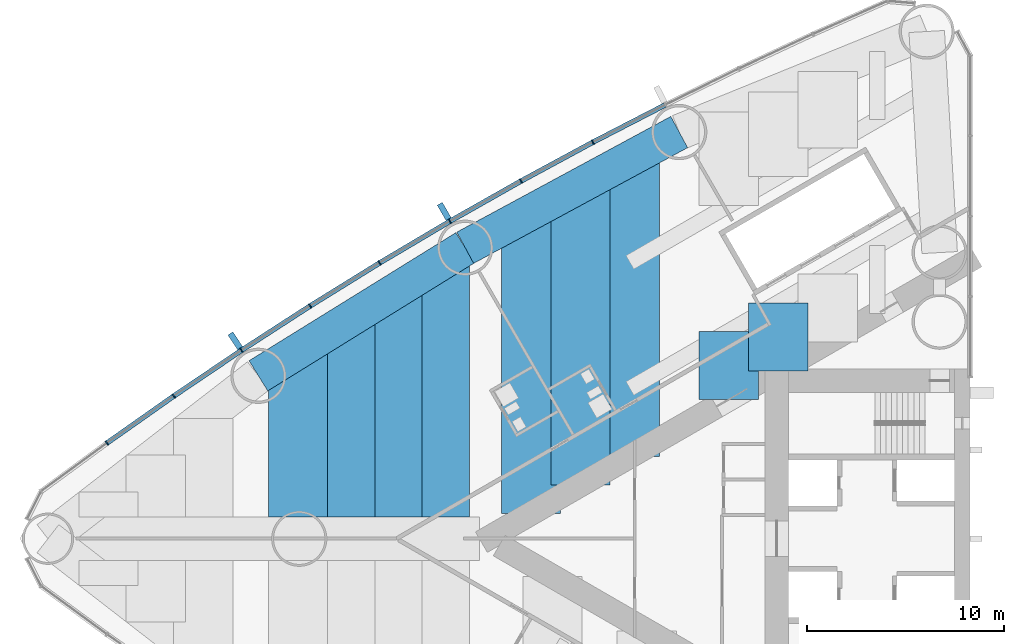
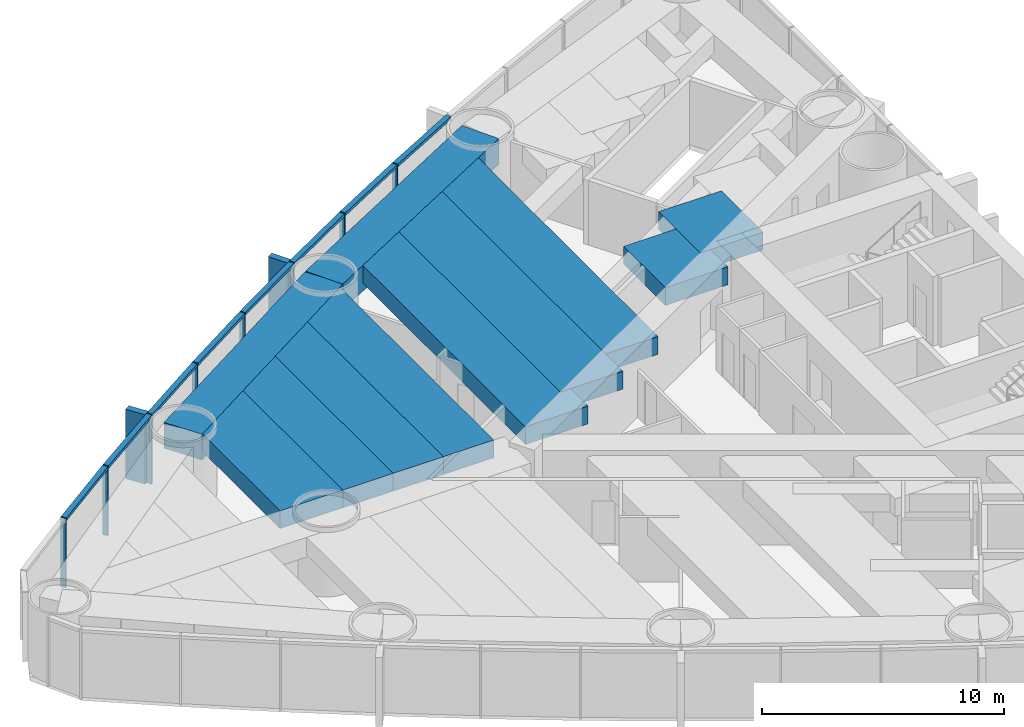
# One storey, part 4 of 19: 18 members, 11 beams, 1 element without a shape of its own.
"""IFC4 building model written with IfcOpenShell, lengths in metres."""

import ifcopenshell
import ifcopenshell.guid

model = None  # the IFC model being written
_history = None  # IfcOwnerHistory: only IFC2X3 demands one
_inside = {}  # id of a spatial element -> (the spatial element, [elements in it])
_under = {}  # id of a project, library or spatial element -> (it, [spatial elements below it])
_declared = {}  # id of a project -> (the project, [libraries it declares])
_typed = {}  # id of a type object -> (the type object, [elements of that type])
_made_of = {}  # id of a material, layer set ... -> (it, [elements and type objects made of it])


def new_model(schema):
    """Start an empty IFC model of exactly this schema.

    Asked for "IFC4X3", IfcOpenShell would pick the latest addendum, in which some entities
    have other attributes; the version numbers below select the first issue.
    IFC2X3 requires an IfcOwnerHistory on every rooted entity: one is made here for all.
    """
    global model, _history
    if schema == "IFC4X3":
        model = ifcopenshell.file(schema_version=(4, 3, 0, 0))
    else:
        model = ifcopenshell.file(schema=schema)
    _inside.clear()
    _under.clear()
    _declared.clear()
    _typed.clear()
    _made_of.clear()
    _history = None
    if model.schema == "IFC2X3":
        org = make("IfcOrganization", Name="unknown")
        user = make(
            "IfcPersonAndOrganization",
            ThePerson=make("IfcPerson", FamilyName="unknown"),
            TheOrganization=org,
        )
        app = make(
            "IfcApplication",
            ApplicationDeveloper=org,
            Version="unknown",
            ApplicationFullName="unknown",
            ApplicationIdentifier="unknown",
        )
        _history = make(
            "IfcOwnerHistory",
            OwningUser=user,
            OwningApplication=app,
            ChangeAction="ADDED",
            CreationDate=0,
        )
    return model


def make(cls, **values):
    """One entity of the class cls with the attributes given. An attribute that is None is left unset."""
    return model.create_entity(
        cls, **{name: value for name, value in values.items() if value is not None}
    )


def rooted(cls, **values):
    """An entity with a GlobalId (a new one), such as an element, a storey or a relation."""
    return make(cls, GlobalId=ifcopenshell.guid.new(), OwnerHistory=_history, **values)


def si_unit(unit_type, name, prefix=None):
    """IfcSIUnit, for example si_unit("LENGTHUNIT", "METRE", prefix="MILLI")."""
    return make("IfcSIUnit", UnitType=unit_type, Prefix=prefix, Name=name)


def assignment(units):
    """IfcUnitAssignment: the units of a project."""
    return None if units is None else make("IfcUnitAssignment", Units=units)


def point(xyz):
    """IfcCartesianPoint."""
    return None if xyz is None else make("IfcCartesianPoint", Coordinates=xyz)


def direction(xyz):
    """IfcDirection."""
    return None if xyz is None else make("IfcDirection", DirectionRatios=xyz)


def frame(location, z_axis=None, x_axis=None):
    """IfcAxis2Placement3D, a coordinate frame: its origin and axes. An axis left out is left unset."""
    return make(
        "IfcAxis2Placement3D",
        Location=point(location),
        Axis=direction(z_axis),
        RefDirection=direction(x_axis),
    )


def frame_2d(location, x_axis=None):
    """IfcAxis2Placement2D, a coordinate frame in the plane: its origin and x axis."""
    return make(
        "IfcAxis2Placement2D", Location=point(location), RefDirection=direction(x_axis)
    )


def origin():
    """The frame at (0, 0, 0) with its axes left unset."""
    return frame((0.0, 0.0, 0.0))


def origin_2d():
    """The frame at (0, 0) in the plane with its x axis left unset."""
    return frame_2d((0.0, 0.0))


def place(relative_to, where):
    """IfcLocalPlacement: puts the frame where relative to a parent placement (None: the world)."""
    return make(
        "IfcLocalPlacement", PlacementRelTo=relative_to, RelativePlacement=where
    )


def context(
    kind, dimensions, precision=None, world=None, true_north=None, identifier=None
):
    """IfcGeometricRepresentationContext, for example the 3D "Model" context."""
    return make(
        "IfcGeometricRepresentationContext",
        ContextIdentifier=identifier,
        ContextType=kind,
        CoordinateSpaceDimension=dimensions,
        Precision=precision,
        WorldCoordinateSystem=world,
        TrueNorth=true_north,
    )


def subcontext(parent, identifier, kind, view, scale=None):
    """IfcGeometricRepresentationSubContext, for example "Body" below "Model"."""
    return make(
        "IfcGeometricRepresentationSubContext",
        ContextIdentifier=identifier,
        ContextType=kind,
        ParentContext=parent,
        TargetScale=scale,
        TargetView=view,
    )


def project(units=None, contexts=None):
    """IfcProject with its units and contexts."""
    return rooted(
        "IfcProject",
        Name="project",
        RepresentationContexts=contexts,
        UnitsInContext=assignment(units),
    )


def spatial(cls, under=None, at=None, **own):
    """A site, building, storey or space (cls), placed at a placement, below another one or the project."""
    s = rooted(cls, ObjectPlacement=at, **own)
    if under is not None:
        _under.setdefault(under.id(), (under, []))[1].append(s)
    return s


def profile(cls, at=None, kind="AREA", **sizes):
    """A parametric profile (cls). Its sizes go by their IFC names, for example OverallWidth=200.0."""
    return make(cls, ProfileType=kind, Position=at, **sizes)


def rectangle(**sizes):
    """IfcRectangleProfileDef."""
    return profile("IfcRectangleProfileDef", **sizes)


def extrude(swept, where, along, depth):
    """IfcExtrudedAreaSolid: the profile swept, set in the frame where, extruded along a direction by depth."""
    return make(
        "IfcExtrudedAreaSolid",
        SweptArea=swept,
        Position=where,
        ExtrudedDirection=direction(along),
        Depth=depth,
    )


def shape(context_of_items, identifier, shape_type, items):
    """IfcShapeRepresentation: the items that make up one representation, for example the "Body"."""
    return make(
        "IfcShapeRepresentation",
        ContextOfItems=context_of_items,
        RepresentationIdentifier=identifier,
        RepresentationType=shape_type,
        Items=items,
    )


def material(Name=None, Category=None):
    """IfcMaterial."""
    return make("IfcMaterial", Name=Name, Category=Category)


def material_profile(
    of_material, cross_section, Name=None, Category=None, Priority=None
):
    """IfcMaterialProfile: a cross section and its material."""
    return make(
        "IfcMaterialProfile",
        Name=Name,
        Material=of_material,
        Profile=cross_section,
        Priority=Priority,
        Category=Category,
    )


def profile_set(profiles, Name=None, composite=None):
    """IfcMaterialProfileSet."""
    return make(
        "IfcMaterialProfileSet",
        Name=Name,
        MaterialProfiles=profiles,
        CompositeProfile=composite,
    )


def made_of(thing, what):
    """Note that an element or type object is made of a material, layer set ...; save() writes the relation."""
    if what is not None:
        _made_of.setdefault(what.id(), (what, []))[1].append(thing)
    return thing


def type_object(cls, material=None, **own):
    """A type object (cls), such as IfcWallType, which elements share."""
    return made_of(rooted(cls, **own), material)


def element(
    cls,
    number,
    at=None,
    inside=None,
    cuts=None,
    type_object=None,
    material=None,
    context=None,
    identifier="Body",
    shape_type=None,
    held_by="IfcProductDefinitionShape",
    body=None,
    shapes=None,
    **own,
):
    """One element of the class cls, such as IfcWall. Its Tag is "e" and its number.

    at: its placement. inside: the storey or other place that contains it. cuts: it is an
    opening in that element (IfcRelVoidsElement). A single representation is given by context,
    identifier, shape_type and body (its items); several are given by shapes. held_by: the class
    of the entity that holds the representations. save() writes the other relations.
    """
    e = rooted(cls, Tag="e%d" % number, ObjectPlacement=at, **own)
    if body is not None:
        shapes = [shape(context, identifier, shape_type, body)]
    if shapes is not None:
        e.Representation = make(held_by, Representations=shapes)
    if inside is not None:
        _inside.setdefault(inside.id(), (inside, []))[1].append(e)
    if cuts is not None:
        rooted(
            "IfcRelVoidsElement", RelatingBuildingElement=cuts, RelatedOpeningElement=e
        )
    if type_object is not None:
        _typed.setdefault(type_object.id(), (type_object, []))[1].append(e)
    return made_of(e, material)


def aggregate(whole, parts):
    """IfcRelAggregates: a whole, such as a stair, and the parts it consists of."""
    return rooted("IfcRelAggregates", RelatingObject=whole, RelatedObjects=parts)


def save(model, path):
    """Write the relations noted so far, then the file.

    IfcRelAggregates (storeys below a building ...), IfcRelContainedInSpatialStructure (elements
    in a storey), IfcRelDefinesByType, IfcRelAssociatesMaterial and IfcRelDeclares: one each for
    every whole, place, type object, material and project.
    """
    for whole, parts in _under.values():
        aggregate(whole, parts)
    for where, things in _inside.values():
        rooted(
            "IfcRelContainedInSpatialStructure",
            RelatedElements=things,
            RelatingStructure=where,
        )
    for kind, things in _typed.values():
        rooted("IfcRelDefinesByType", RelatedObjects=things, RelatingType=kind)
    for what, things in _made_of.values():
        rooted("IfcRelAssociatesMaterial", RelatedObjects=things, RelatingMaterial=what)
    for by, libraries in _declared.values():
        rooted("IfcRelDeclares", RelatingContext=by, RelatedDefinitions=libraries)
    model.write(path)


model = new_model("IFC4")

# Units and contexts
model_context = context("Model", 3, precision=1e-05, world=origin(), true_north=direction((0.0, 1.0)))
body_context = subcontext(model_context, "Body", "Model", "MODEL_VIEW")
ifc_project = project(units=[si_unit("LENGTHUNIT", "METRE"), si_unit("AREAUNIT", "SQUARE_METRE"), si_unit("VOLUMEUNIT", "CUBIC_METRE"), si_unit("PLANEANGLEUNIT", "RADIAN"), si_unit("MASSUNIT", "GRAM", prefix="KILO")], contexts=[model_context])

# Site, building, storey
site_placement = place(None, origin())
site = spatial("IfcSite", under=ifc_project, at=site_placement, CompositionType="ELEMENT")
building_placement = place(site_placement, origin())
building = spatial("IfcBuilding", under=site, at=building_placement, Name="Lancet Gate Hotel", CompositionType="ELEMENT")
storey_placement = place(building_placement, frame((0.0, 0.0, 18.0)))
storey = spatial("IfcBuildingStorey", under=building, at=storey_placement, Name="L03", CompositionType="ELEMENT", Elevation=18.0)

# Curtain wall, members
ifc_material_1 = material(Name="Aluminium curtain wall", Category="aluminium")
curtain_wall_type = type_object("IfcCurtainWallType", Name="Tower unitised curtain wall", PredefinedType="USERDEFINED", material=ifc_material_1)
curtain_wall_placement = place(storey_placement, origin())
curtain_wall = element("IfcCurtainWall", 1, at=curtain_wall_placement, inside=storey, type_object=curtain_wall_type, Name="T1 L03 curtain wall 2", ObjectType="UNITISED CURTAIN WALL", PredefinedType="USERDEFINED")
ifc_material_2 = material(Name="Aluminium mullion", Category="aluminium")
ifc_material_profile_1 = material_profile(ifc_material_2, rectangle(XDim=0.06494140625, YDim=0.25, at=origin_2d()), Name="MULLION 65x250")
ifc_profile_set_1 = profile_set([ifc_material_profile_1], Name="Aluminium mullion")
member_type_1 = type_object("IfcMemberType", Name="Aluminium mullion 65x250", PredefinedType="MULLION", material=ifc_profile_set_1)
member_1_placement = place(storey_placement, frame((-46.6220703125, 20.094970703125, 0.0), z_axis=(0.0, 0.0, 1.0), x_axis=(-0.884311132302, -0.466898084475, 0.0)))
member_1 = element("IfcMember", 2, at=member_1_placement, type_object=member_type_1, Name="T1 L03 curtain wall 2 mullion 6", PredefinedType="MULLION", context=body_context, shape_type="SweptSolid", body=[
    extrude(rectangle(XDim=0.06494140625, YDim=0.25, at=origin_2d()), origin(), (0.0, 0.0, 1.0), 3.5),
])
member_2_placement = place(storey_placement, frame((-50.26416015625, 18.1259765625, 0.0), z_axis=(0.0, 0.0, 1.0), x_axis=(-0.874991035403, -0.484139120464, 0.0)))
member_2 = element("IfcMember", 3, at=member_2_placement, type_object=member_type_1, Name="T1 L03 curtain wall 2 mullion 7", PredefinedType="MULLION", context=body_context, shape_type="SweptSolid", body=[
    extrude(rectangle(XDim=0.06494140625, YDim=0.25, at=origin_2d()), origin(), (0.0, 0.0, 1.0), 3.5),
])
member_3_placement = place(storey_placement, frame((-53.866943359375, 16.086181640625, 0.0), z_axis=(0.0, 0.0, 1.0), x_axis=(-0.86533483912, -0.501194190115, 0.0)))
member_3 = element("IfcMember", 4, at=member_3_placement, type_object=member_type_1, Name="T1 L03 curtain wall 2 mullion 8", PredefinedType="MULLION", context=body_context, shape_type="SweptSolid", body=[
    extrude(rectangle(XDim=0.06494140625, YDim=0.25, at=origin_2d()), origin(), (0.0, 0.0, 1.0), 3.5),
])
member_4_placement = place(storey_placement, frame((-57.42919921875, 13.97607421875, 0.0), z_axis=(0.0, 0.0, 1.0), x_axis=(-0.855346252548, -0.518056742309, 0.0)))
member_4 = element("IfcMember", 5, at=member_4_placement, type_object=member_type_1, Name="T1 L03 curtain wall 2 mullion 9", PredefinedType="MULLION", context=body_context, shape_type="SweptSolid", body=[
    extrude(rectangle(XDim=0.06494140625, YDim=0.25, at=origin_2d()), origin(), (0.0, 0.0, 1.0), 3.5),
])
member_5_placement = place(storey_placement, frame((-60.949462890625, 11.796630859375, 0.0), z_axis=(0.0, 0.0, 1.0), x_axis=(-0.845029112489, -0.534720299827, 0.0)))
member_5 = element("IfcMember", 6, at=member_5_placement, type_object=member_type_1, Name="T1 L03 curtain wall 2 mullion 10", PredefinedType="MULLION", context=body_context, shape_type="SweptSolid", body=[
    extrude(rectangle(XDim=0.06494140625, YDim=0.25, at=origin_2d()), origin(), (0.0, 0.0, 1.0), 3.5),
])
member_6_placement = place(storey_placement, frame((-64.42626953125, 9.548583984375, 0.0), z_axis=(0.0, 0.0, 1.0), x_axis=(-0.834387381945, -0.55117846189, 0.0)))
member_6 = element("IfcMember", 7, at=member_6_placement, type_object=member_type_1, Name="T1 L03 curtain wall 2 mullion 11", PredefinedType="MULLION", context=body_context, shape_type="SweptSolid", body=[
    extrude(rectangle(XDim=0.06494140625, YDim=0.25, at=origin_2d()), origin(), (0.0, 0.0, 1.0), 3.5),
])
member_7_placement = place(storey_placement, frame((-67.858154296875, 7.232666015625, 0.0), z_axis=(0.0, 0.0, 1.0), x_axis=(-0.823425148573, -0.56742490666, 0.0)))
member_7 = element("IfcMember", 8, at=member_7_placement, type_object=member_type_1, Name="T1 L03 curtain wall 2 mullion 12", PredefinedType="MULLION", context=body_context, shape_type="SweptSolid", body=[
    extrude(rectangle(XDim=0.06494140625, YDim=0.25, at=origin_2d()), origin(), (0.0, 0.0, 1.0), 3.5),
])
member_8_placement = place(storey_placement, frame((-71.244384765625, 4.85009765625, 0.0), z_axis=(0.0, 0.0, 1.0), x_axis=(-0.812146623168, -0.583453393578, 0.0)))
member_8 = element("IfcMember", 9, at=member_8_placement, type_object=member_type_1, Name="T1 L03 curtain wall 2 mullion 13", PredefinedType="MULLION", context=body_context, shape_type="SweptSolid", body=[
    extrude(rectangle(XDim=0.06494140625, YDim=0.25, at=origin_2d()), origin(), (0.0, 0.0, 1.0), 3.5),
])
ifc_material_3 = material(Name="Aluminium transom", Category="aluminium")
ifc_material_profile_2 = material_profile(ifc_material_3, rectangle(XDim=0.25, YDim=0.14990234375, at=origin_2d()), Name="TRANSOM 250x150")
ifc_profile_set_2 = profile_set([ifc_material_profile_2], Name="Aluminium transom")
member_type_2 = type_object("IfcMemberType", Name="Aluminium transom 250x150", PredefinedType="USERDEFINED", material=ifc_profile_set_2)
member_9_placement = place(storey_placement, frame((-42.970703125, 21.97705078125, 3.425048828125), z_axis=(-0.888859972399, -0.458178949175, 0.0), x_axis=(0.458178949175, -0.888859972399, 0.0)))
member_9 = element("IfcMember", 10, at=member_9_placement, type_object=member_type_2, Name="T1 L03 curtain wall 2 transom 5", ObjectType="TRANSOM", PredefinedType="USERDEFINED", context=body_context, shape_type="SweptSolid", body=[
    extrude(rectangle(XDim=0.25, YDim=0.14990234375, at=origin_2d()), origin(), (0.0, 0.0, 1.0), 4.0751953125),
])
member_10_placement = place(storey_placement, frame((-46.650634765625, 20.079345703125, 3.425048828125), z_axis=(-0.87971396408, -0.475503250675, 0.0), x_axis=(0.475503250675, -0.87971396408, 0.0)))
member_10 = element("IfcMember", 11, at=member_10_placement, type_object=member_type_2, Name="T1 L03 curtain wall 2 transom 6", ObjectType="TRANSOM", PredefinedType="USERDEFINED", context=body_context, shape_type="SweptSolid", body=[
    extrude(rectangle(XDim=0.25, YDim=0.14990234375, at=origin_2d()), origin(), (0.0, 0.0, 1.0), 4.0751953125),
])
member_11_placement = place(storey_placement, frame((-50.29248046875, 18.110107421875, 3.425048828125), z_axis=(-0.870197729943, -0.492702659625, 0.0), x_axis=(0.492702659625, -0.870197729943, 0.0)))
member_11 = element("IfcMember", 12, at=member_11_placement, type_object=member_type_2, Name="T1 L03 curtain wall 2 transom 7", ObjectType="TRANSOM", PredefinedType="USERDEFINED", context=body_context, shape_type="SweptSolid", body=[
    extrude(rectangle(XDim=0.25, YDim=0.14990234375, at=origin_2d()), origin(), (0.0, 0.0, 1.0), 4.0751953125),
])
member_12_placement = place(storey_placement, frame((-53.89501953125, 16.069580078125, 3.425048828125), z_axis=(-0.86039174806, -0.509633240547, 0.0), x_axis=(0.509633240547, -0.86039174806, 0.0)))
member_12 = element("IfcMember", 13, at=member_12_placement, type_object=member_type_2, Name="T1 L03 curtain wall 2 transom 8", ObjectType="TRANSOM", PredefinedType="USERDEFINED", context=body_context, shape_type="SweptSolid", body=[
    extrude(rectangle(XDim=0.25, YDim=0.14990234375, at=origin_2d()), origin(), (0.0, 0.0, 1.0), 4.0751953125),
])
member_13_placement = place(storey_placement, frame((-57.456787109375, 13.958984375, 3.425048828125), z_axis=(-0.850242165643, -0.526391736032, 0.0), x_axis=(0.526391736032, -0.850242165643, 0.0)))
member_13 = element("IfcMember", 14, at=member_13_placement, type_object=member_type_2, Name="T1 L03 curtain wall 2 transom 9", ObjectType="TRANSOM", PredefinedType="USERDEFINED", context=body_context, shape_type="SweptSolid", body=[
    extrude(rectangle(XDim=0.25, YDim=0.14990234375, at=origin_2d()), origin(), (0.0, 0.0, 1.0), 4.075439453125),
])
member_14_placement = place(storey_placement, frame((-60.976806640625, 11.779052734375, 3.425048828125), z_axis=(-0.839729242404, -0.543005340169, 0.0), x_axis=(0.543005340169, -0.839729242404, 0.0)))
member_14 = element("IfcMember", 15, at=member_14_placement, type_object=member_type_2, Name="T1 L03 curtain wall 2 transom 10", ObjectType="TRANSOM", PredefinedType="USERDEFINED", context=body_context, shape_type="SweptSolid", body=[
    extrude(rectangle(XDim=0.25, YDim=0.14990234375, at=origin_2d()), origin(), (0.0, 0.0, 1.0), 4.0751953125),
])
member_15_placement = place(storey_placement, frame((-64.453125, 9.5302734375, 3.425048828125), z_axis=(-0.828959086782, -0.559309245804, 0.0), x_axis=(0.559309245804, -0.828959086782, 0.0)))
member_15 = element("IfcMember", 16, at=member_15_placement, type_object=member_type_2, Name="T1 L03 curtain wall 2 transom 11", ObjectType="TRANSOM", PredefinedType="USERDEFINED", context=body_context, shape_type="SweptSolid", body=[
    extrude(rectangle(XDim=0.25, YDim=0.14990234375, at=origin_2d()), origin(), (0.0, 0.0, 1.0), 4.0751953125),
])
member_16_placement = place(storey_placement, frame((-67.884765625, 7.214111328125, 3.425048828125), z_axis=(-0.817833568345, -0.57545482402, 0.0), x_axis=(0.57545482402, -0.817833568345, 0.0)))
member_16 = element("IfcMember", 17, at=member_16_placement, type_object=member_type_2, Name="T1 L03 curtain wall 2 transom 12", ObjectType="TRANSOM", PredefinedType="USERDEFINED", context=body_context, shape_type="SweptSolid", body=[
    extrude(rectangle(XDim=0.25, YDim=0.14990234375, at=origin_2d()), origin(), (0.0, 0.0, 1.0), 4.075439453125),
])

# Beams
ifc_material_4 = material(Name="Concrete C50/60", Category="concrete")
ifc_material_profile_3 = material_profile(ifc_material_4, rectangle(XDim=1.800048828125, YDim=1.300048828125, at=origin_2d()), Name="RC 1800x1300")
ifc_profile_set_3 = profile_set([ifc_material_profile_3], Name="Concrete C50/60")
beam_type_1 = type_object("IfcBeamType", Name="Edge beam RC 1800x1300", PredefinedType="SPANDREL", material=ifc_profile_set_3)
for number, where, z_axis, x_axis, name in (
    (18, (-42.2451171875, 20.607421875, 2.60009765625), (-0.879692855603, -0.475542300749, 0.0), (0.475542300749, -0.879692855603, 0.0), "T1 edge beam EB1 L03"),
    (19, (-53.090087890625, 14.744873046875, 2.60009765625), (-0.850225894333, -0.526418016984, 0.0), (0.526418016984, -0.850225894333, 0.0), "T1 edge beam EB1 L03"),
):
    element("IfcBeam", number, at=place(storey_placement, frame(where, z_axis=z_axis, x_axis=x_axis)), inside=storey, type_object=beam_type_1, Name=name, PredefinedType="SPANDREL", context=body_context, shape_type="SweptSolid", body=[
        extrude(rectangle(XDim=1.800048828125, YDim=1.300048828125, at=origin_2d()), origin(), (0.0, 0.0, 1.0), 12.328125),
    ])

# Member
ifc_material_5 = material(Name="Precast concrete C50/60", Category="concrete")
ifc_material_profile_4 = material_profile(ifc_material_5, rectangle(XDim=0.300048828125, YDim=0.89990234375, at=origin_2d()), Name="FIN 300x900")
ifc_profile_set_4 = profile_set([ifc_material_profile_4], Name="Precast concrete C50/60")
member_type_3 = type_object("IfcMemberType", Name="Exposed concrete fin 300x900", PredefinedType="USERDEFINED", material=ifc_profile_set_4)
member_17_placement = place(storey_placement, frame((-54.1552734375, 16.583740234375, 0.0), z_axis=(0.0, 0.0, 1.0), x_axis=(-0.86533483912, -0.501194190115, 0.0)))
member_17 = element("IfcMember", 20, at=member_17_placement, type_object=member_type_3, Name="T1 L03 curtain wall 2 fin 8", ObjectType="FIN", PredefinedType="USERDEFINED", context=body_context, shape_type="SweptSolid", body=[
    extrude(rectangle(XDim=0.300048828125, YDim=0.89990234375, at=origin_2d()), origin(), (0.0, 0.0, 1.0), 3.5),
])

member_18_placement = place(storey_placement, frame((-64.7431640625, 10.0283203125, 0.0), z_axis=(0.0, 0.0, 1.0), x_axis=(-0.834387381945, -0.55117846189, 0.0)))
member_18 = element("IfcMember", 21, at=member_18_placement, type_object=member_type_3, Name="T1 L03 curtain wall 2 fin 11", ObjectType="FIN", PredefinedType="USERDEFINED", context=body_context, shape_type="SweptSolid", body=[
    extrude(rectangle(XDim=0.300048828125, YDim=0.89990234375, at=origin_2d()), origin(), (0.0, 0.0, 1.0), 3.5),
])

aggregate(curtain_wall, [member_1, member_2, member_3, member_17, member_4, member_5, member_6, member_18, member_7, member_8, member_9, member_10, member_11, member_12, member_13, member_14, member_15, member_16])

# Beams
ifc_material_6 = material(Name="Concrete C50/60", Category="concrete")
ifc_material_profile_5 = material_profile(ifc_material_6, rectangle(XDim=3.0, YDim=0.89990234375, at=origin_2d()), Name="RC 3000x900")
ifc_profile_set_5 = profile_set([ifc_material_profile_5], Name="Concrete C50/60")
beam_type_2 = type_object("IfcBeamType", Name="Floor beam RC 3000x900", PredefinedType="BEAM", material=ifc_profile_set_5)
beam_1_placement = place(storey_placement, frame((-44.747802734375, 19.254638671875, 2.800048828125), z_axis=(0.0, -1.0, 0.0), x_axis=(1.0, 0.0, 0.0)))
element("IfcBeam", 22, at=beam_1_placement, inside=storey, type_object=beam_type_2, Name="T1 floor beam F09S L03", PredefinedType="BEAM", context=body_context, shape_type="SweptSolid", body=[
    extrude(rectangle(XDim=3.0, YDim=0.89990234375, at=origin_2d()), origin(), (0.0, 0.0, 1.0), 15.0859375),
])
beam_2_placement = place(storey_placement, frame((-47.254638671875, 17.8994140625, 2.800048828125), z_axis=(0.0, -1.0, 0.0), x_axis=(1.0, 0.0, 0.0)))
element("IfcBeam", 23, at=beam_2_placement, inside=storey, type_object=beam_type_2, Name="T1 floor beam F10S L03", PredefinedType="BEAM", context=body_context, shape_type="SweptSolid", body=[
    extrude(rectangle(XDim=3.0, YDim=0.89990234375, at=origin_2d()), origin(), (0.0, 0.0, 1.0), 15.177978515625),
])
beam_3_placement = place(storey_placement, frame((-49.761474609375, 16.54443359375, 2.800048828125), z_axis=(0.0, -1.0, 0.0), x_axis=(1.0, 0.0, 0.0)))
element("IfcBeam", 24, at=beam_3_placement, inside=storey, type_object=beam_type_2, Name="T1 floor beam F12S L03", PredefinedType="BEAM", context=body_context, shape_type="SweptSolid", body=[
    extrude(rectangle(XDim=3.0, YDim=0.89990234375, at=origin_2d()), origin(), (0.0, 0.0, 1.0), 15.270263671875),
])
beam_4_placement = place(storey_placement, frame((-54.3681640625, 13.95361328125, 2.800048828125), z_axis=(0.0, -1.0, 0.0), x_axis=(1.0, 0.0, 0.0)))
element("IfcBeam", 25, at=beam_4_placement, inside=storey, type_object=beam_type_2, Name="T1 floor beam F13S L03", PredefinedType="BEAM", context=body_context, shape_type="SweptSolid", body=[
    extrude(rectangle(XDim=3.0, YDim=0.89990234375, at=origin_2d()), origin(), (0.0, 0.0, 1.0), 12.853515625),
])
beam_5_placement = place(storey_placement, frame((-56.768310546875, 12.467529296875, 2.800048828125), z_axis=(0.0, -1.0, 0.0), x_axis=(1.0, 0.0, 0.0)))
element("IfcBeam", 26, at=beam_5_placement, inside=storey, type_object=beam_type_2, Name="T1 floor beam F15S L03", PredefinedType="BEAM", context=body_context, shape_type="SweptSolid", body=[
    extrude(rectangle(XDim=3.0, YDim=0.89990234375, at=origin_2d()), origin(), (0.0, 0.0, 1.0), 11.367431640625),
])
beam_6_placement = place(storey_placement, frame((-59.168212890625, 10.981689453125, 2.800048828125), z_axis=(0.0, -1.0, 0.0), x_axis=(1.0, 0.0, 0.0)))
element("IfcBeam", 27, at=beam_6_placement, inside=storey, type_object=beam_type_2, Name="T1 floor beam F17S L03", PredefinedType="BEAM", context=body_context, shape_type="SweptSolid", body=[
    extrude(rectangle(XDim=3.0, YDim=0.89990234375, at=origin_2d()), origin(), (0.0, 0.0, 1.0), 9.881591796875),
])
beam_7_placement = place(storey_placement, frame((-61.568359375, 9.495849609375, 2.800048828125), z_axis=(0.0, -1.0, 0.0), x_axis=(1.0, 0.0, 0.0)))
element("IfcBeam", 28, at=beam_7_placement, inside=storey, type_object=beam_type_2, Name="T1 floor beam F19S L03", PredefinedType="BEAM", context=body_context, shape_type="SweptSolid", body=[
    extrude(rectangle(XDim=3.0, YDim=0.89990234375, at=origin_2d()), origin(), (0.0, 0.0, 1.0), 8.395751953125),
])
beam_8_placement = place(storey_placement, frame((-37.227294921875, 11.9560546875, 2.800048828125), z_axis=(0.0, -1.0, 0.0), x_axis=(1.0, 0.0, 0.0)))
element("IfcBeam", 29, at=beam_8_placement, inside=storey, type_object=beam_type_2, Name="T1 floor beam F05SB L03", PredefinedType="BEAM", context=body_context, shape_type="SweptSolid", body=[
    extrude(rectangle(XDim=3.0, YDim=0.89990234375, at=origin_2d()), origin(), (0.0, 0.0, 1.0), 3.4453125),
])
beam_9_placement = place(storey_placement, frame((-39.734130859375, 10.508544921875, 2.800048828125), z_axis=(0.0, -1.0, 0.0), x_axis=(1.0, 0.0, 0.0)))
element("IfcBeam", 30, at=beam_9_placement, inside=storey, type_object=beam_type_2, Name="T1 floor beam F07SB L03", PredefinedType="BEAM", context=body_context, shape_type="SweptSolid", body=[
    extrude(rectangle(XDim=3.0, YDim=0.89990234375, at=origin_2d()), origin(), (0.0, 0.0, 1.0), 3.445068359375),
])

save(model, "model.ifc")
